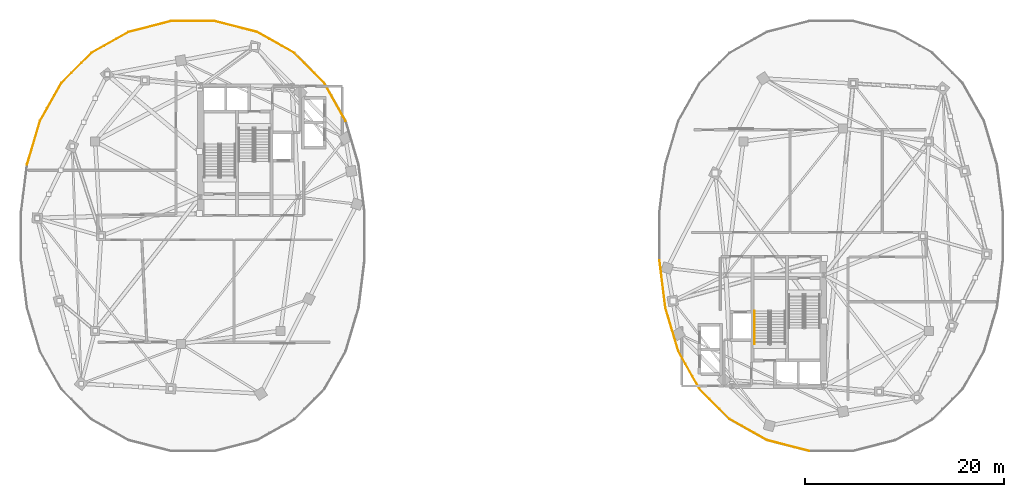
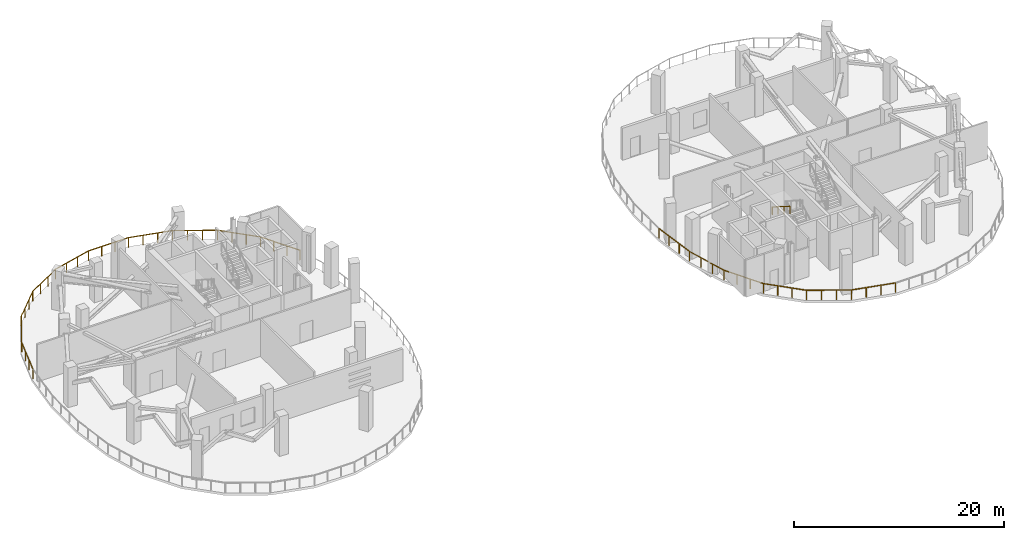
# One storey, part 12 of 14: 9 railings.
"""IFC4 building model written with IfcOpenShell, lengths in metres."""

import ifcopenshell
import ifcopenshell.guid

model = None  # the IFC model being written
_history = None  # IfcOwnerHistory: only IFC2X3 demands one
_inside = {}  # id of a spatial element -> (the spatial element, [elements in it])
_under = {}  # id of a project, library or spatial element -> (it, [spatial elements below it])
_declared = {}  # id of a project -> (the project, [libraries it declares])
_typed = {}  # id of a type object -> (the type object, [elements of that type])
_made_of = {}  # id of a material, layer set ... -> (it, [elements and type objects made of it])


def new_model(schema):
    """Start an empty IFC model of exactly this schema.

    Asked for "IFC4X3", IfcOpenShell would pick the latest addendum, in which some entities
    have other attributes; the version numbers below select the first issue.
    IFC2X3 requires an IfcOwnerHistory on every rooted entity: one is made here for all.
    """
    global model, _history
    if schema == "IFC4X3":
        model = ifcopenshell.file(schema_version=(4, 3, 0, 0))
    else:
        model = ifcopenshell.file(schema=schema)
    _inside.clear()
    _under.clear()
    _declared.clear()
    _typed.clear()
    _made_of.clear()
    _history = None
    if model.schema == "IFC2X3":
        org = make("IfcOrganization", Name="unknown")
        user = make(
            "IfcPersonAndOrganization",
            ThePerson=make("IfcPerson", FamilyName="unknown"),
            TheOrganization=org,
        )
        app = make(
            "IfcApplication",
            ApplicationDeveloper=org,
            Version="unknown",
            ApplicationFullName="unknown",
            ApplicationIdentifier="unknown",
        )
        _history = make(
            "IfcOwnerHistory",
            OwningUser=user,
            OwningApplication=app,
            ChangeAction="ADDED",
            CreationDate=0,
        )
    return model


def make(cls, **values):
    """One entity of the class cls with the attributes given. An attribute that is None is left unset."""
    return model.create_entity(
        cls, **{name: value for name, value in values.items() if value is not None}
    )


def rooted(cls, **values):
    """An entity with a GlobalId (a new one), such as an element, a storey or a relation."""
    return make(cls, GlobalId=ifcopenshell.guid.new(), OwnerHistory=_history, **values)


def si_unit(unit_type, name, prefix=None):
    """IfcSIUnit, for example si_unit("LENGTHUNIT", "METRE", prefix="MILLI")."""
    return make("IfcSIUnit", UnitType=unit_type, Prefix=prefix, Name=name)


def assignment(units):
    """IfcUnitAssignment: the units of a project."""
    return None if units is None else make("IfcUnitAssignment", Units=units)


def point(xyz):
    """IfcCartesianPoint."""
    return None if xyz is None else make("IfcCartesianPoint", Coordinates=xyz)


def direction(xyz):
    """IfcDirection."""
    return None if xyz is None else make("IfcDirection", DirectionRatios=xyz)


def frame(location, z_axis=None, x_axis=None):
    """IfcAxis2Placement3D, a coordinate frame: its origin and axes. An axis left out is left unset."""
    return make(
        "IfcAxis2Placement3D",
        Location=point(location),
        Axis=direction(z_axis),
        RefDirection=direction(x_axis),
    )


def frame_2d(location, x_axis=None):
    """IfcAxis2Placement2D, a coordinate frame in the plane: its origin and x axis."""
    return make(
        "IfcAxis2Placement2D", Location=point(location), RefDirection=direction(x_axis)
    )


def origin():
    """The frame at (0, 0, 0) with its axes left unset."""
    return frame((0.0, 0.0, 0.0))


def origin_2d():
    """The frame at (0, 0) in the plane with its x axis left unset."""
    return frame_2d((0.0, 0.0))


def place(relative_to, where):
    """IfcLocalPlacement: puts the frame where relative to a parent placement (None: the world)."""
    return make(
        "IfcLocalPlacement", PlacementRelTo=relative_to, RelativePlacement=where
    )


def context(
    kind, dimensions, precision=None, world=None, true_north=None, identifier=None
):
    """IfcGeometricRepresentationContext, for example the 3D "Model" context."""
    return make(
        "IfcGeometricRepresentationContext",
        ContextIdentifier=identifier,
        ContextType=kind,
        CoordinateSpaceDimension=dimensions,
        Precision=precision,
        WorldCoordinateSystem=world,
        TrueNorth=true_north,
    )


def subcontext(parent, identifier, kind, view, scale=None):
    """IfcGeometricRepresentationSubContext, for example "Body" below "Model"."""
    return make(
        "IfcGeometricRepresentationSubContext",
        ContextIdentifier=identifier,
        ContextType=kind,
        ParentContext=parent,
        TargetScale=scale,
        TargetView=view,
    )


def project(units=None, contexts=None):
    """IfcProject with its units and contexts."""
    return rooted(
        "IfcProject",
        Name="project",
        RepresentationContexts=contexts,
        UnitsInContext=assignment(units),
    )


def spatial(cls, under=None, at=None, **own):
    """A site, building, storey or space (cls), placed at a placement, below another one or the project."""
    s = rooted(cls, ObjectPlacement=at, **own)
    if under is not None:
        _under.setdefault(under.id(), (under, []))[1].append(s)
    return s


def profile(cls, at=None, kind="AREA", **sizes):
    """A parametric profile (cls). Its sizes go by their IFC names, for example OverallWidth=200.0."""
    return make(cls, ProfileType=kind, Position=at, **sizes)


def rectangle(**sizes):
    """IfcRectangleProfileDef."""
    return profile("IfcRectangleProfileDef", **sizes)


def extrude(swept, where, along, depth):
    """IfcExtrudedAreaSolid: the profile swept, set in the frame where, extruded along a direction by depth."""
    return make(
        "IfcExtrudedAreaSolid",
        SweptArea=swept,
        Position=where,
        ExtrudedDirection=direction(along),
        Depth=depth,
    )


def shape(context_of_items, identifier, shape_type, items):
    """IfcShapeRepresentation: the items that make up one representation, for example the "Body"."""
    return make(
        "IfcShapeRepresentation",
        ContextOfItems=context_of_items,
        RepresentationIdentifier=identifier,
        RepresentationType=shape_type,
        Items=items,
    )


def material(Name=None, Category=None):
    """IfcMaterial."""
    return make("IfcMaterial", Name=Name, Category=Category)


def made_of(thing, what):
    """Note that an element or type object is made of a material, layer set ...; save() writes the relation."""
    if what is not None:
        _made_of.setdefault(what.id(), (what, []))[1].append(thing)
    return thing


def type_object(cls, material=None, **own):
    """A type object (cls), such as IfcWallType, which elements share."""
    return made_of(rooted(cls, **own), material)


def element(
    cls,
    number,
    at=None,
    inside=None,
    cuts=None,
    type_object=None,
    material=None,
    context=None,
    identifier="Body",
    shape_type=None,
    held_by="IfcProductDefinitionShape",
    body=None,
    shapes=None,
    **own,
):
    """One element of the class cls, such as IfcWall. Its Tag is "e" and its number.

    at: its placement. inside: the storey or other place that contains it. cuts: it is an
    opening in that element (IfcRelVoidsElement). A single representation is given by context,
    identifier, shape_type and body (its items); several are given by shapes. held_by: the class
    of the entity that holds the representations. save() writes the other relations.
    """
    e = rooted(cls, Tag="e%d" % number, ObjectPlacement=at, **own)
    if body is not None:
        shapes = [shape(context, identifier, shape_type, body)]
    if shapes is not None:
        e.Representation = make(held_by, Representations=shapes)
    if inside is not None:
        _inside.setdefault(inside.id(), (inside, []))[1].append(e)
    if cuts is not None:
        rooted(
            "IfcRelVoidsElement", RelatingBuildingElement=cuts, RelatedOpeningElement=e
        )
    if type_object is not None:
        _typed.setdefault(type_object.id(), (type_object, []))[1].append(e)
    return made_of(e, material)


def aggregate(whole, parts):
    """IfcRelAggregates: a whole, such as a stair, and the parts it consists of."""
    return rooted("IfcRelAggregates", RelatingObject=whole, RelatedObjects=parts)


def save(model, path):
    """Write the relations noted so far, then the file.

    IfcRelAggregates (storeys below a building ...), IfcRelContainedInSpatialStructure (elements
    in a storey), IfcRelDefinesByType, IfcRelAssociatesMaterial and IfcRelDeclares: one each for
    every whole, place, type object, material and project.
    """
    for whole, parts in _under.values():
        aggregate(whole, parts)
    for where, things in _inside.values():
        rooted(
            "IfcRelContainedInSpatialStructure",
            RelatedElements=things,
            RelatingStructure=where,
        )
    for kind, things in _typed.values():
        rooted("IfcRelDefinesByType", RelatedObjects=things, RelatingType=kind)
    for what, things in _made_of.values():
        rooted("IfcRelAssociatesMaterial", RelatedObjects=things, RelatingMaterial=what)
    for by, libraries in _declared.values():
        rooted("IfcRelDeclares", RelatingContext=by, RelatedDefinitions=libraries)
    model.write(path)


model = new_model("IFC4")

# Units and contexts
model_context = context("Model", 3, precision=1e-05, world=origin(), true_north=direction((0.0, 1.0)))
body_context = subcontext(model_context, "Body", "Model", "MODEL_VIEW")
ifc_project = project(units=[si_unit("LENGTHUNIT", "METRE"), si_unit("AREAUNIT", "SQUARE_METRE"), si_unit("VOLUMEUNIT", "CUBIC_METRE"), si_unit("PLANEANGLEUNIT", "RADIAN"), si_unit("MASSUNIT", "GRAM", prefix="KILO"), si_unit("THERMODYNAMICTEMPERATUREUNIT", "KELVIN"), si_unit("POWERUNIT", "WATT")], contexts=[model_context])

# Site, building, storey
site_placement = place(None, origin())
site = spatial("IfcSite", under=ifc_project, at=site_placement, CompositionType="ELEMENT")
building_placement = place(site_placement, origin())
building = spatial("IfcBuilding", under=site, at=building_placement, Name="Cundina Bronze Exchange", CompositionType="ELEMENT")
storey_placement = place(building_placement, frame((0.0, 0.0, 187.199951171875)))
storey = spatial("IfcBuildingStorey", under=building, at=storey_placement, Name="L49", CompositionType="ELEMENT", Elevation=187.199951171875)

# Railings
ifc_material_1 = material(Name="Anodised Bronze Aluminium 6063-T6", Category="aluminium")
railing_type_1 = type_object("IfcRailingType", Name="RLG-GRD-1150", PredefinedType="GUARDRAIL", material=ifc_material_1)
railing_1_placement = place(storey_placement, frame((-48.6171875, 7.17529296875, 0.0)))
element("IfcRailing", 1, at=railing_1_placement, inside=storey, type_object=railing_type_1, Name="L49 Perimeter Safety Guardrail 09", PredefinedType="GUARDRAIL", context=body_context, shape_type="SweptSolid", body=[
    extrude(rectangle(XDim=0.048095703125, YDim=0.048095703125, at=origin_2d()), frame((0.0, 0.0, 1.1259765625), z_axis=(0.284864013169, 0.958567939168, 0.0), x_axis=(-0.958567939168, 0.284864013169, 0.0)), (0.0, 0.0, 1.0), 4.564697265625),
    extrude(rectangle(XDim=0.048095703125, YDim=0.048095703125, at=origin_2d()), frame((1.30029296875, 4.37548828125, 1.1259765625), z_axis=(0.491134584651, 0.871083704221, 0.0), x_axis=(-0.871083704221, 0.491134584651, 0.0)), (0.0, 0.0, 1.0), 4.35205078125),
    extrude(rectangle(XDim=0.0419921875, YDim=0.0419921875, at=origin_2d()), origin(), (0.0, 0.0, 1.0), 1.101806640625),
    extrude(rectangle(XDim=0.0419921875, YDim=0.0419921875, at=origin_2d()), frame((0.433349609375, 1.45849609375, 0.0)), (0.0, 0.0, 1.0), 1.101806640625),
    extrude(rectangle(XDim=0.0419921875, YDim=0.0419921875, at=origin_2d()), frame((0.866943359375, 2.9169921875, 0.0)), (0.0, 0.0, 1.0), 1.101806640625),
    extrude(rectangle(XDim=0.0419921875, YDim=0.0419921875, at=origin_2d()), frame((1.30029296875, 4.37548828125, 0.0)), (0.0, 0.0, 1.0), 1.101806640625),
    extrude(rectangle(XDim=0.0419921875, YDim=0.0419921875, at=origin_2d()), frame((2.0126953125, 5.63916015625, 0.0)), (0.0, 0.0, 1.0), 1.101806640625),
    extrude(rectangle(XDim=0.0419921875, YDim=0.0419921875, at=origin_2d()), frame((2.725341796875, 6.90283203125, 0.0)), (0.0, 0.0, 1.0), 1.101806640625),
    extrude(rectangle(XDim=0.0419921875, YDim=0.0419921875, at=origin_2d()), frame((3.437744140625, 8.16650390625, 0.0)), (0.0, 0.0, 1.0), 1.101806640625),
])
railing_2_placement = place(storey_placement, frame((-45.179443359375, 15.341796875, 0.0)))
element("IfcRailing", 2, at=railing_2_placement, inside=storey, type_object=railing_type_1, Name="L49 Perimeter Safety Guardrail 10", PredefinedType="GUARDRAIL", context=body_context, shape_type="SweptSolid", body=[
    extrude(rectangle(XDim=0.048095703125, YDim=0.048095703125, at=origin_2d()), frame((0.0, 0.0, 1.1259765625), z_axis=(0.705213293252, 0.70899521227, 0.0), x_axis=(-0.70899521227, 0.705213293252, 0.0)), (0.0, 0.0, 1.0), 4.260498046875),
    extrude(rectangle(XDim=0.048095703125, YDim=0.048095703125, at=origin_2d()), frame((3.004638671875, 3.020751953125, 1.1259765625), z_axis=(0.871962493313, 0.48957268128, 0.0), x_axis=(-0.48957268128, 0.871962493313, 0.0)), (0.0, 0.0, 1.0), 4.293701171875),
    extrude(rectangle(XDim=0.0419921875, YDim=0.0419921875, at=origin_2d()), origin(), (0.0, 0.0, 1.0), 1.101806640625),
    extrude(rectangle(XDim=0.0419921875, YDim=0.0419921875, at=origin_2d()), frame((1.00146484375, 1.0068359375, 0.0)), (0.0, 0.0, 1.0), 1.101806640625),
    extrude(rectangle(XDim=0.0419921875, YDim=0.0419921875, at=origin_2d()), frame((2.003173828125, 2.013916015625, 0.0)), (0.0, 0.0, 1.0), 1.101806640625),
    extrude(rectangle(XDim=0.0419921875, YDim=0.0419921875, at=origin_2d()), frame((3.004638671875, 3.020751953125, 0.0)), (0.0, 0.0, 1.0), 1.101806640625),
    extrude(rectangle(XDim=0.0419921875, YDim=0.0419921875, at=origin_2d()), frame((4.252685546875, 3.721435546875, 0.0)), (0.0, 0.0, 1.0), 1.101806640625),
    extrude(rectangle(XDim=0.0419921875, YDim=0.0419921875, at=origin_2d()), frame((5.50048828125, 4.422119140625, 0.0)), (0.0, 0.0, 1.0), 1.101806640625),
    extrude(rectangle(XDim=0.0419921875, YDim=0.0419921875, at=origin_2d()), frame((6.74853515625, 5.122802734375, 0.0)), (0.0, 0.0, 1.0), 1.101806640625),
])
railing_3_placement = place(storey_placement, frame((-38.430908203125, 20.464599609375, 0.0)))
element("IfcRailing", 3, at=railing_3_placement, inside=storey, type_object=railing_type_1, Name="L49 Perimeter Safety Guardrail 11", PredefinedType="GUARDRAIL", context=body_context, shape_type="SweptSolid", body=[
    extrude(rectangle(XDim=0.048095703125, YDim=0.048095703125, at=origin_2d()), frame((0.0, 0.0, 1.1259765625), z_axis=(0.969034209537, 0.246926508799, 0.0), x_axis=(-0.246926508799, 0.969034209537, 0.0)), (0.0, 0.0, 1.0), 4.3671875),
    extrude(rectangle(XDim=0.048095703125, YDim=0.048095703125, at=origin_2d()), frame((4.23193359375, 1.078369140625, 1.1259765625), z_axis=(1.0, 0.0, 0.0), x_axis=(0.0, 1.0, 0.0)), (0.0, 0.0, 1.0), 4.39794921875),
    extrude(rectangle(XDim=0.0419921875, YDim=0.0419921875, at=origin_2d()), origin(), (0.0, 0.0, 1.0), 1.101806640625),
    extrude(rectangle(XDim=0.0419921875, YDim=0.0419921875, at=origin_2d()), frame((1.41064453125, 0.359375, 0.0)), (0.0, 0.0, 1.0), 1.101806640625),
    extrude(rectangle(XDim=0.0419921875, YDim=0.0419921875, at=origin_2d()), frame((2.8212890625, 0.718994140625, 0.0)), (0.0, 0.0, 1.0), 1.101806640625),
    extrude(rectangle(XDim=0.0419921875, YDim=0.0419921875, at=origin_2d()), frame((4.23193359375, 1.078369140625, 0.0)), (0.0, 0.0, 1.0), 1.101806640625),
    extrude(rectangle(XDim=0.0419921875, YDim=0.0419921875, at=origin_2d()), frame((5.697998046875, 1.078369140625, 0.0)), (0.0, 0.0, 1.0), 1.101806640625),
    extrude(rectangle(XDim=0.0419921875, YDim=0.0419921875, at=origin_2d()), frame((7.163818359375, 1.078369140625, 0.0)), (0.0, 0.0, 1.0), 1.101806640625),
    extrude(rectangle(XDim=0.0419921875, YDim=0.0419921875, at=origin_2d()), frame((8.6298828125, 1.078369140625, 0.0)), (0.0, 0.0, 1.0), 1.101806640625),
])
railing_4_placement = place(storey_placement, frame((-29.801025390625, 21.54296875, 0.0)))
element("IfcRailing", 4, at=railing_4_placement, inside=storey, type_object=railing_type_1, Name="L49 Perimeter Safety Guardrail 12", PredefinedType="GUARDRAIL", context=body_context, shape_type="SweptSolid", body=[
    extrude(rectangle(XDim=0.048095703125, YDim=0.048095703125, at=origin_2d()), frame((0.0, 0.0, 1.1259765625), z_axis=(0.969034209537, -0.246926508799, 0.0), x_axis=(0.246926508799, 0.969034209537, 0.0)), (0.0, 0.0, 1.0), 4.3671875),
    extrude(rectangle(XDim=0.048095703125, YDim=0.048095703125, at=origin_2d()), frame((4.23193359375, -1.078369140625, 1.1259765625), z_axis=(0.871962493313, -0.48957268128, 0.0), x_axis=(0.48957268128, 0.871962493313, 0.0)), (0.0, 0.0, 1.0), 4.293701171875),
    extrude(rectangle(XDim=0.0419921875, YDim=0.0419921875, at=origin_2d()), origin(), (0.0, 0.0, 1.0), 1.101806640625),
    extrude(rectangle(XDim=0.0419921875, YDim=0.0419921875, at=origin_2d()), frame((1.41064453125, -0.359375, 0.0)), (0.0, 0.0, 1.0), 1.101806640625),
    extrude(rectangle(XDim=0.0419921875, YDim=0.0419921875, at=origin_2d()), frame((2.8212890625, -0.718994140625, 0.0)), (0.0, 0.0, 1.0), 1.101806640625),
    extrude(rectangle(XDim=0.0419921875, YDim=0.0419921875, at=origin_2d()), frame((4.23193359375, -1.078369140625, 0.0)), (0.0, 0.0, 1.0), 1.101806640625),
    extrude(rectangle(XDim=0.0419921875, YDim=0.0419921875, at=origin_2d()), frame((5.47998046875, -1.779052734375, 0.0)), (0.0, 0.0, 1.0), 1.101806640625),
    extrude(rectangle(XDim=0.0419921875, YDim=0.0419921875, at=origin_2d()), frame((6.727783203125, -2.479736328125, 0.0)), (0.0, 0.0, 1.0), 1.101806640625),
    extrude(rectangle(XDim=0.0419921875, YDim=0.0419921875, at=origin_2d()), frame((7.975830078125, -3.180419921875, 0.0)), (0.0, 0.0, 1.0), 1.101806640625),
])
railing_5_placement = place(storey_placement, frame((-21.8251953125, 18.362548828125, 0.0)))
element("IfcRailing", 5, at=railing_5_placement, inside=storey, type_object=railing_type_1, Name="L49 Perimeter Safety Guardrail 13", PredefinedType="GUARDRAIL", context=body_context, shape_type="SweptSolid", body=[
    extrude(rectangle(XDim=0.048095703125, YDim=0.048095703125, at=origin_2d()), frame((0.0, 0.0, 1.1259765625), z_axis=(0.705213293252, -0.70899521227, 0.0), x_axis=(0.70899521227, 0.705213293252, 0.0)), (0.0, 0.0, 1.0), 4.260498046875),
    extrude(rectangle(XDim=0.048095703125, YDim=0.048095703125, at=origin_2d()), frame((3.004638671875, -3.020751953125, 1.1259765625), z_axis=(0.491134584651, -0.871083704221, 0.0), x_axis=(0.871083704221, 0.491134584651, 0.0)), (0.0, 0.0, 1.0), 4.35205078125),
    extrude(rectangle(XDim=0.0419921875, YDim=0.0419921875, at=origin_2d()), origin(), (0.0, 0.0, 1.0), 1.101806640625),
    extrude(rectangle(XDim=0.0419921875, YDim=0.0419921875, at=origin_2d()), frame((1.00146484375, -1.0068359375, 0.0)), (0.0, 0.0, 1.0), 1.101806640625),
    extrude(rectangle(XDim=0.0419921875, YDim=0.0419921875, at=origin_2d()), frame((2.003173828125, -2.013916015625, 0.0)), (0.0, 0.0, 1.0), 1.101806640625),
    extrude(rectangle(XDim=0.0419921875, YDim=0.0419921875, at=origin_2d()), frame((3.004638671875, -3.020751953125, 0.0)), (0.0, 0.0, 1.0), 1.101806640625),
    extrude(rectangle(XDim=0.0419921875, YDim=0.0419921875, at=origin_2d()), frame((3.717041015625, -4.284423828125, 0.0)), (0.0, 0.0, 1.0), 1.101806640625),
    extrude(rectangle(XDim=0.0419921875, YDim=0.0419921875, at=origin_2d()), frame((4.4296875, -5.548095703125, 0.0)), (0.0, 0.0, 1.0), 1.101806640625),
    extrude(rectangle(XDim=0.0419921875, YDim=0.0419921875, at=origin_2d()), frame((5.14208984375, -6.811767578125, 0.0)), (0.0, 0.0, 1.0), 1.101806640625),
])
railing_6_placement = place(storey_placement, frame((29.801025390625, -21.54296875, 0.0)))
element("IfcRailing", 6, at=railing_6_placement, inside=storey, type_object=railing_type_1, Name="L49 Perimeter Safety Guardrail 05", PredefinedType="GUARDRAIL", context=body_context, shape_type="SweptSolid", body=[
    extrude(rectangle(XDim=0.048095703125, YDim=0.048095703125, at=origin_2d()), frame((0.0, 0.0, 1.1259765625), z_axis=(-0.969034209537, 0.246926508799, 0.0), x_axis=(-0.246926508799, -0.969034209537, 0.0)), (0.0, 0.0, 1.0), 4.3671875),
    extrude(rectangle(XDim=0.048095703125, YDim=0.048095703125, at=origin_2d()), frame((-4.23193359375, 1.078369140625, 1.1259765625), z_axis=(-0.871962493313, 0.48957268128, 0.0), x_axis=(-0.48957268128, -0.871962493313, 0.0)), (0.0, 0.0, 1.0), 4.293701171875),
    extrude(rectangle(XDim=0.0419921875, YDim=0.0419921875, at=origin_2d()), origin(), (0.0, 0.0, 1.0), 1.101806640625),
    extrude(rectangle(XDim=0.0419921875, YDim=0.0419921875, at=origin_2d()), frame((-1.41064453125, 0.359375, 0.0)), (0.0, 0.0, 1.0), 1.101806640625),
    extrude(rectangle(XDim=0.0419921875, YDim=0.0419921875, at=origin_2d()), frame((-2.8212890625, 0.718994140625, 0.0)), (0.0, 0.0, 1.0), 1.101806640625),
    extrude(rectangle(XDim=0.0419921875, YDim=0.0419921875, at=origin_2d()), frame((-4.23193359375, 1.078369140625, 0.0)), (0.0, 0.0, 1.0), 1.101806640625),
    extrude(rectangle(XDim=0.0419921875, YDim=0.0419921875, at=origin_2d()), frame((-5.47998046875, 1.779052734375, 0.0)), (0.0, 0.0, 1.0), 1.101806640625),
    extrude(rectangle(XDim=0.0419921875, YDim=0.0419921875, at=origin_2d()), frame((-6.727783203125, 2.479736328125, 0.0)), (0.0, 0.0, 1.0), 1.101806640625),
    extrude(rectangle(XDim=0.0419921875, YDim=0.0419921875, at=origin_2d()), frame((-7.975830078125, 3.180419921875, 0.0)), (0.0, 0.0, 1.0), 1.101806640625),
])
railing_7_placement = place(storey_placement, frame((21.8251953125, -18.362548828125, 0.0)))
element("IfcRailing", 7, at=railing_7_placement, inside=storey, type_object=railing_type_1, Name="L49 Perimeter Safety Guardrail 06", PredefinedType="GUARDRAIL", context=body_context, shape_type="SweptSolid", body=[
    extrude(rectangle(XDim=0.048095703125, YDim=0.048095703125, at=origin_2d()), frame((0.0, 0.0, 1.1259765625), z_axis=(-0.705213293252, 0.70899521227, 0.0), x_axis=(-0.70899521227, -0.705213293252, 0.0)), (0.0, 0.0, 1.0), 4.260498046875),
    extrude(rectangle(XDim=0.048095703125, YDim=0.048095703125, at=origin_2d()), frame((-3.004638671875, 3.020751953125, 1.1259765625), z_axis=(-0.491134584651, 0.871083704221, 0.0), x_axis=(-0.871083704221, -0.491134584651, 0.0)), (0.0, 0.0, 1.0), 4.35205078125),
    extrude(rectangle(XDim=0.0419921875, YDim=0.0419921875, at=origin_2d()), origin(), (0.0, 0.0, 1.0), 1.101806640625),
    extrude(rectangle(XDim=0.0419921875, YDim=0.0419921875, at=origin_2d()), frame((-1.00146484375, 1.0068359375, 0.0)), (0.0, 0.0, 1.0), 1.101806640625),
    extrude(rectangle(XDim=0.0419921875, YDim=0.0419921875, at=origin_2d()), frame((-2.003173828125, 2.013916015625, 0.0)), (0.0, 0.0, 1.0), 1.101806640625),
    extrude(rectangle(XDim=0.0419921875, YDim=0.0419921875, at=origin_2d()), frame((-3.004638671875, 3.020751953125, 0.0)), (0.0, 0.0, 1.0), 1.101806640625),
    extrude(rectangle(XDim=0.0419921875, YDim=0.0419921875, at=origin_2d()), frame((-3.717041015625, 4.284423828125, 0.0)), (0.0, 0.0, 1.0), 1.101806640625),
    extrude(rectangle(XDim=0.0419921875, YDim=0.0419921875, at=origin_2d()), frame((-4.4296875, 5.548095703125, 0.0)), (0.0, 0.0, 1.0), 1.101806640625),
    extrude(rectangle(XDim=0.0419921875, YDim=0.0419921875, at=origin_2d()), frame((-5.14208984375, 6.811767578125, 0.0)), (0.0, 0.0, 1.0), 1.101806640625),
])
railing_8_placement = place(storey_placement, frame((16.68310546875, -11.55078125, 0.0)))
element("IfcRailing", 8, at=railing_8_placement, inside=storey, type_object=railing_type_1, Name="L49 Perimeter Safety Guardrail 07", PredefinedType="GUARDRAIL", context=body_context, shape_type="SweptSolid", body=[
    extrude(rectangle(XDim=0.048095703125, YDim=0.048095703125, at=origin_2d()), frame((0.0, 0.0, 1.1259765625), z_axis=(-0.284864013169, 0.958567939168, 0.0), x_axis=(-0.958567939168, -0.284864013169, 0.0)), (0.0, 0.0, 1.0), 4.564697265625),
    extrude(rectangle(XDim=0.048095703125, YDim=0.048095703125, at=origin_2d()), frame((-1.30029296875, 4.37548828125, 1.1259765625), z_axis=(-0.123846086367, 0.992301439529, 0.0), x_axis=(-0.992301439529, -0.123846086367, 0.0)), (0.0, 0.0, 1.0), 4.778564453125),
    extrude(rectangle(XDim=0.0419921875, YDim=0.0419921875, at=origin_2d()), origin(), (0.0, 0.0, 1.0), 1.101806640625),
    extrude(rectangle(XDim=0.0419921875, YDim=0.0419921875, at=origin_2d()), frame((-0.433349609375, 1.45849609375, 0.0)), (0.0, 0.0, 1.0), 1.101806640625),
    extrude(rectangle(XDim=0.0419921875, YDim=0.0419921875, at=origin_2d()), frame((-0.866943359375, 2.9169921875, 0.0)), (0.0, 0.0, 1.0), 1.101806640625),
    extrude(rectangle(XDim=0.0419921875, YDim=0.0419921875, at=origin_2d()), frame((-1.30029296875, 4.37548828125, 0.0)), (0.0, 0.0, 1.0), 1.101806640625),
    extrude(rectangle(XDim=0.0419921875, YDim=0.0419921875, at=origin_2d()), frame((-1.49755859375, 5.9560546875, 0.0)), (0.0, 0.0, 1.0), 1.101806640625),
    extrude(rectangle(XDim=0.0419921875, YDim=0.0419921875, at=origin_2d()), frame((-1.69482421875, 7.53662109375, 0.0)), (0.0, 0.0, 1.0), 1.101806640625),
    extrude(rectangle(XDim=0.0419921875, YDim=0.0419921875, at=origin_2d()), frame((-1.89208984375, 9.1171875, 0.0)), (0.0, 0.0, 1.0), 1.101806640625),
])
ifc_material_2 = material(Name="Steel ASTM A36 Painted", Category="steel")
railing_type_2 = type_object("IfcRailingType", Name="RLG-HND-900", PredefinedType="HANDRAIL", material=ifc_material_2)
railing_9_placement = place(storey_placement, frame((24.330078125, -7.489990234375, 2.47705078125)))
element("IfcRailing", 9, at=railing_9_placement, inside=storey, type_object=railing_type_2, Name="L49 ST-E2 stair handrail 2", PredefinedType="HANDRAIL", context=body_context, shape_type="SweptSolid", body=[
    extrude(rectangle(XDim=0.048095703125, YDim=0.048095703125, at=origin_2d()), frame((0.0, 0.0, 0.8759765625), z_axis=(0.0, -0.845389635667, 0.534150132366), x_axis=(1.0, 0.0, 0.0)), (0.0, 0.0, 1.0), 3.974609375),
    extrude(rectangle(XDim=0.0419921875, YDim=0.0419921875, at=origin_2d()), origin(), (0.0, 0.0, 1.0), 0.851806640625),
    extrude(rectangle(XDim=0.0419921875, YDim=0.0419921875, at=origin_2d()), frame((0.0, -1.1201171875, 0.707763671875)), (0.0, 0.0, 1.0), 0.851806640625),
    extrude(rectangle(XDim=0.0419921875, YDim=0.0419921875, at=origin_2d()), frame((0.0, -2.239990234375, 1.415283203125)), (0.0, 0.0, 1.0), 0.851806640625),
    extrude(rectangle(XDim=0.0419921875, YDim=0.0419921875, at=origin_2d()), frame((0.0, -3.360107421875, 2.123046875)), (0.0, 0.0, 1.0), 0.851806640625),
])

save(model, "model.ifc")
